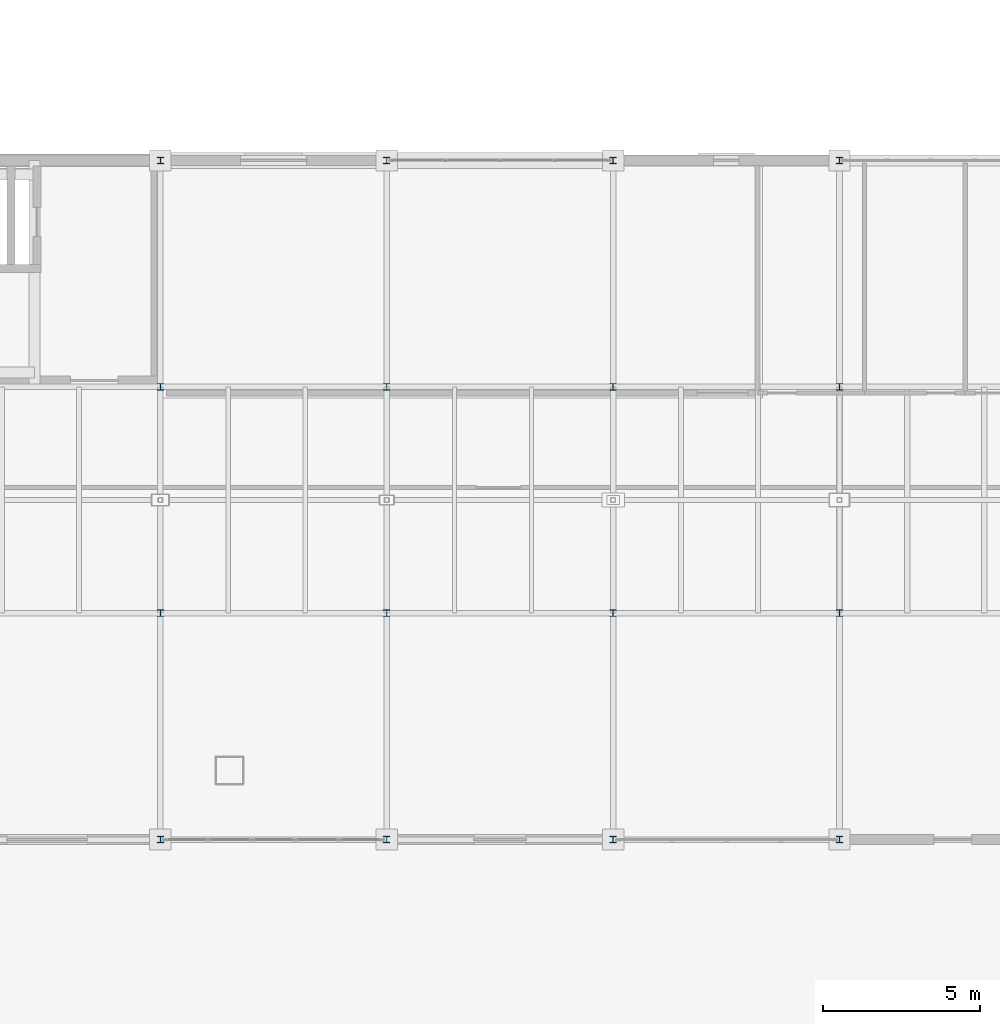
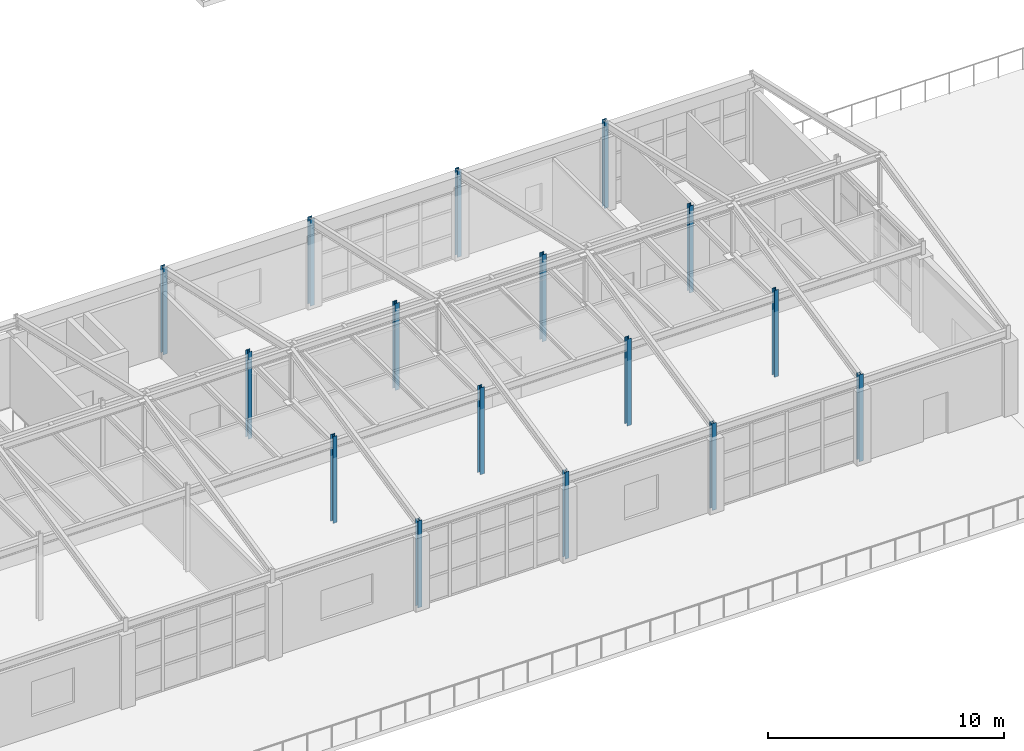
# One storey, part 8 of 101: 16 columns.
"""IFC4 building model written with IfcOpenShell, lengths in metres."""

from ifc_helpers import new_model, si_unit, direction, frame, origin, origin_2d, place, context, subcontext, project, spatial, i_section, extrude, material, material_profile, profile_set, type_object, element, save


model = new_model("IFC4")

# Units and contexts
model_context = context("Model", 3, precision=1e-05, world=origin(), true_north=direction((0.0, 1.0)))
body_context = subcontext(model_context, "Body", "Model", "MODEL_VIEW")
ifc_project = project(units=[si_unit("LENGTHUNIT", "METRE"), si_unit("AREAUNIT", "SQUARE_METRE"), si_unit("VOLUMEUNIT", "CUBIC_METRE"), si_unit("PLANEANGLEUNIT", "RADIAN"), si_unit("MASSUNIT", "GRAM", prefix="KILO")], contexts=[model_context])

# Site, building, storey
site_placement = place(None, origin())
site = spatial("IfcSite", under=ifc_project, at=site_placement, CompositionType="ELEMENT")
building_placement = place(site_placement, origin())
building = spatial("IfcBuilding", under=site, at=building_placement, Name="Kemerveld Promenade Tramway Depot", CompositionType="ELEMENT")
storey_placement = place(building_placement, frame((0.0, 0.0, 9.89990234375)))
storey = spatial("IfcBuildingStorey", under=building, at=storey_placement, Name="L02", CompositionType="ELEMENT", Elevation=9.89990234375)

# Columns
ifc_material = material(Name="Steel S355", Category="steel")
ifc_material_profile = material_profile(ifc_material, i_section(OverallWidth=0.205810546875, OverallDepth=0.209716796875, WebThickness=0.009521484375, FlangeThickness=0.01416015625, FilletRadius=0.01025390625, at=origin_2d()), Name="203x203x60 UC")
ifc_profile_set = profile_set([ifc_material_profile], Name="Steel S355")
column_type = type_object("IfcColumnType", Name="COL-S10", PredefinedType="COLUMN", material=ifc_profile_set)
for number, where, z_axis, x_axis, name in (
    (1, (100.800048828125, 7.199951171875, 0.0), (0.0, 0.0, 1.0), (1.0, 0.0, 0.0), "COL-L02-15-B"),
    (2, (100.800048828125, 14.39990234375, 0.0), (0.0, 0.0, 1.0), (1.0, 0.0, 0.0), "COL-L02-15-C"),
    (3, (100.800048828125, 21.60009765625, 0.0), (0.0, 0.0, 1.0), (1.0, 0.0, 0.0), "COL-L02-15-D"),
    (4, (100.800048828125, 28.800048828125, 0.0), (0.0, 0.0, 1.0), (1.0, 0.0, 0.0), "COL-L02-15-E"),
    (5, (108.0, 7.199951171875, 0.0), (0.0, 0.0, 1.0), (1.0, 0.0, 0.0), "COL-L02-16-B"),
    (6, (108.0, 14.39990234375, 0.0), (0.0, 0.0, 1.0), (1.0, 0.0, 0.0), "COL-L02-16-C"),
    (7, (108.0, 21.60009765625, 0.0), (0.0, 0.0, 1.0), (1.0, 0.0, 0.0), "COL-L02-16-D"),
    (8, (108.0, 28.800048828125, 0.0), (0.0, 0.0, 1.0), (1.0, 0.0, 0.0), "COL-L02-16-E"),
    (9, (115.199951171875, 7.199951171875, 0.0), (0.0, 0.0, 1.0), (1.0, 0.0, 0.0), "COL-L02-17-B"),
    (10, (115.199951171875, 14.39990234375, 0.0), (0.0, 0.0, 1.0), (1.0, 0.0, 0.0), "COL-L02-17-C"),
    (11, (115.199951171875, 21.60009765625, 0.0), (0.0, 0.0, 1.0), (1.0, 0.0, 0.0), "COL-L02-17-D"),
    (12, (115.199951171875, 28.800048828125, 0.0), (0.0, 0.0, 1.0), (1.0, 0.0, 0.0), "COL-L02-17-E"),
    (13, (122.39990234375, 7.199951171875, 0.0), (0.0, 0.0, 1.0), (1.0, 0.0, 0.0), "COL-L02-18-B"),
    (14, (122.39990234375, 14.39990234375, 0.0), (0.0, 0.0, 1.0), (1.0, 0.0, 0.0), "COL-L02-18-C"),
    (15, (122.39990234375, 21.60009765625, 0.0), (0.0, 0.0, 1.0), (1.0, 0.0, 0.0), "COL-L02-18-D"),
    (16, (122.39990234375, 28.800048828125, 0.0), (0.0, 0.0, 1.0), (1.0, 0.0, 0.0), "COL-L02-18-E"),
):
    element("IfcColumn", number, at=place(storey_placement, frame(where, z_axis=z_axis, x_axis=x_axis)), inside=storey, type_object=column_type, Name=name, PredefinedType="COLUMN", context=body_context, shape_type="SweptSolid", body=[
        extrude(i_section(OverallWidth=0.205810546875, OverallDepth=0.209716796875, WebThickness=0.009521484375, FlangeThickness=0.01416015625, FilletRadius=0.01025390625, at=origin_2d()), origin(), (0.0, 0.0, 1.0), 4.5),
    ])

save(model, "model.ifc")
